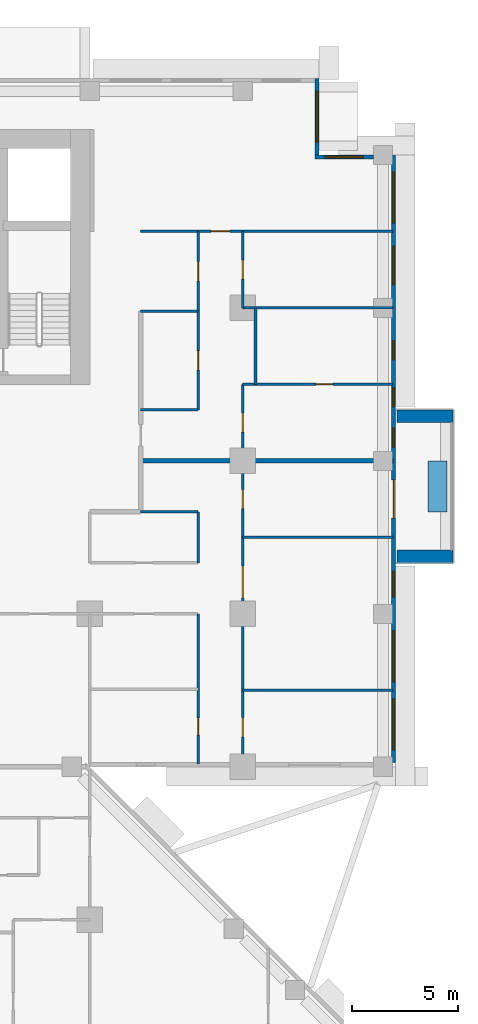
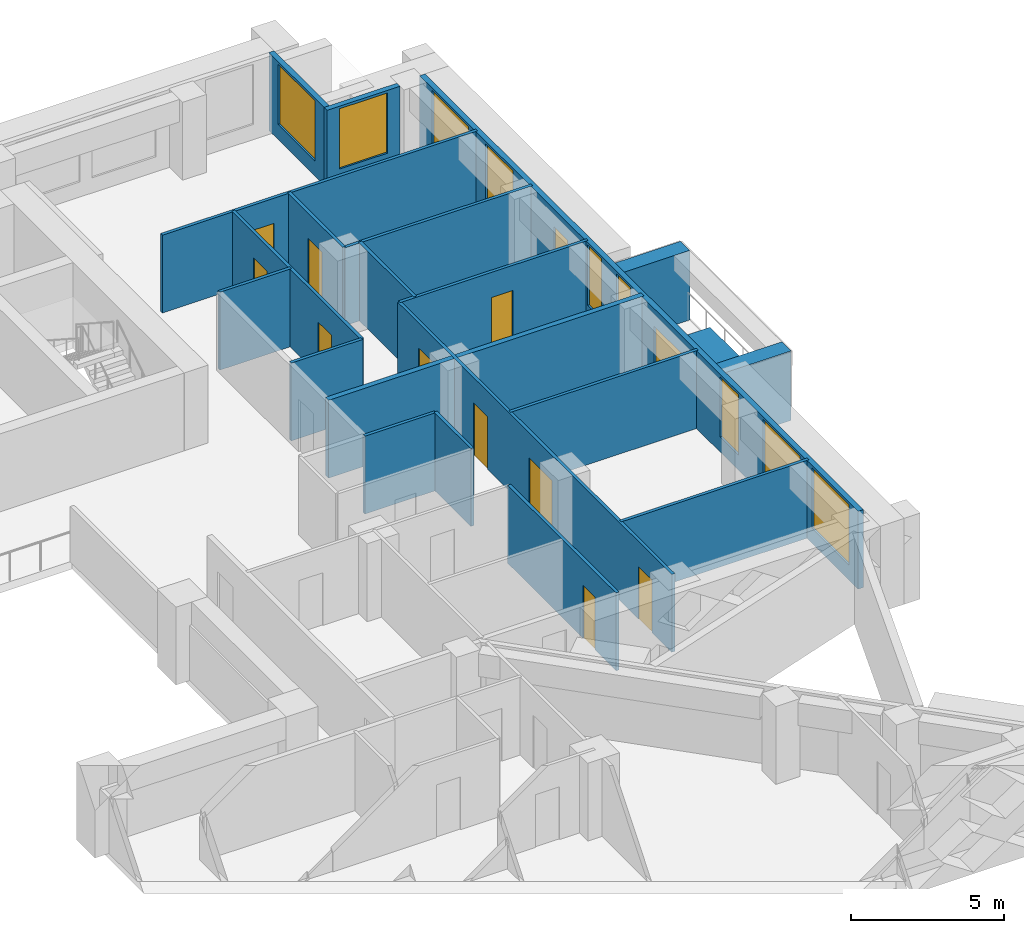
# One storey, part 12 of 17: 21 walls, 11 doors, 10 windows, 21 openings.
"""IFC4 building model written with IfcOpenShell, lengths in metres."""

import ifcopenshell
import ifcopenshell.guid

model = None  # the IFC model being written
_history = None  # IfcOwnerHistory: only IFC2X3 demands one
_inside = {}  # id of a spatial element -> (the spatial element, [elements in it])
_under = {}  # id of a project, library or spatial element -> (it, [spatial elements below it])
_declared = {}  # id of a project -> (the project, [libraries it declares])
_typed = {}  # id of a type object -> (the type object, [elements of that type])
_made_of = {}  # id of a material, layer set ... -> (it, [elements and type objects made of it])


def new_model(schema):
    """Start an empty IFC model of exactly this schema.

    Asked for "IFC4X3", IfcOpenShell would pick the latest addendum, in which some entities
    have other attributes; the version numbers below select the first issue.
    IFC2X3 requires an IfcOwnerHistory on every rooted entity: one is made here for all.
    """
    global model, _history
    if schema == "IFC4X3":
        model = ifcopenshell.file(schema_version=(4, 3, 0, 0))
    else:
        model = ifcopenshell.file(schema=schema)
    _inside.clear()
    _under.clear()
    _declared.clear()
    _typed.clear()
    _made_of.clear()
    _history = None
    if model.schema == "IFC2X3":
        org = make("IfcOrganization", Name="unknown")
        user = make(
            "IfcPersonAndOrganization",
            ThePerson=make("IfcPerson", FamilyName="unknown"),
            TheOrganization=org,
        )
        app = make(
            "IfcApplication",
            ApplicationDeveloper=org,
            Version="unknown",
            ApplicationFullName="unknown",
            ApplicationIdentifier="unknown",
        )
        _history = make(
            "IfcOwnerHistory",
            OwningUser=user,
            OwningApplication=app,
            ChangeAction="ADDED",
            CreationDate=0,
        )
    return model


def make(cls, **values):
    """One entity of the class cls with the attributes given. An attribute that is None is left unset."""
    return model.create_entity(
        cls, **{name: value for name, value in values.items() if value is not None}
    )


def rooted(cls, **values):
    """An entity with a GlobalId (a new one), such as an element, a storey or a relation."""
    return make(cls, GlobalId=ifcopenshell.guid.new(), OwnerHistory=_history, **values)


def si_unit(unit_type, name, prefix=None):
    """IfcSIUnit, for example si_unit("LENGTHUNIT", "METRE", prefix="MILLI")."""
    return make("IfcSIUnit", UnitType=unit_type, Prefix=prefix, Name=name)


def assignment(units):
    """IfcUnitAssignment: the units of a project."""
    return None if units is None else make("IfcUnitAssignment", Units=units)


def point(xyz):
    """IfcCartesianPoint."""
    return None if xyz is None else make("IfcCartesianPoint", Coordinates=xyz)


def direction(xyz):
    """IfcDirection."""
    return None if xyz is None else make("IfcDirection", DirectionRatios=xyz)


def frame(location, z_axis=None, x_axis=None):
    """IfcAxis2Placement3D, a coordinate frame: its origin and axes. An axis left out is left unset."""
    return make(
        "IfcAxis2Placement3D",
        Location=point(location),
        Axis=direction(z_axis),
        RefDirection=direction(x_axis),
    )


def frame_2d(location, x_axis=None):
    """IfcAxis2Placement2D, a coordinate frame in the plane: its origin and x axis."""
    return make(
        "IfcAxis2Placement2D", Location=point(location), RefDirection=direction(x_axis)
    )


def origin():
    """The frame at (0, 0, 0) with its axes left unset."""
    return frame((0.0, 0.0, 0.0))


def place(relative_to, where):
    """IfcLocalPlacement: puts the frame where relative to a parent placement (None: the world)."""
    return make(
        "IfcLocalPlacement", PlacementRelTo=relative_to, RelativePlacement=where
    )


def context(
    kind, dimensions, precision=None, world=None, true_north=None, identifier=None
):
    """IfcGeometricRepresentationContext, for example the 3D "Model" context."""
    return make(
        "IfcGeometricRepresentationContext",
        ContextIdentifier=identifier,
        ContextType=kind,
        CoordinateSpaceDimension=dimensions,
        Precision=precision,
        WorldCoordinateSystem=world,
        TrueNorth=true_north,
    )


def subcontext(parent, identifier, kind, view, scale=None):
    """IfcGeometricRepresentationSubContext, for example "Body" below "Model"."""
    return make(
        "IfcGeometricRepresentationSubContext",
        ContextIdentifier=identifier,
        ContextType=kind,
        ParentContext=parent,
        TargetScale=scale,
        TargetView=view,
    )


def project(units=None, contexts=None):
    """IfcProject with its units and contexts."""
    return rooted(
        "IfcProject",
        Name="project",
        RepresentationContexts=contexts,
        UnitsInContext=assignment(units),
    )


def spatial(cls, under=None, at=None, **own):
    """A site, building, storey or space (cls), placed at a placement, below another one or the project."""
    s = rooted(cls, ObjectPlacement=at, **own)
    if under is not None:
        _under.setdefault(under.id(), (under, []))[1].append(s)
    return s


def profile(cls, at=None, kind="AREA", **sizes):
    """A parametric profile (cls). Its sizes go by their IFC names, for example OverallWidth=200.0."""
    return make(cls, ProfileType=kind, Position=at, **sizes)


def rectangle(**sizes):
    """IfcRectangleProfileDef."""
    return profile("IfcRectangleProfileDef", **sizes)


def extrude(swept, where, along, depth):
    """IfcExtrudedAreaSolid: the profile swept, set in the frame where, extruded along a direction by depth."""
    return make(
        "IfcExtrudedAreaSolid",
        SweptArea=swept,
        Position=where,
        ExtrudedDirection=direction(along),
        Depth=depth,
    )


def shape(context_of_items, identifier, shape_type, items):
    """IfcShapeRepresentation: the items that make up one representation, for example the "Body"."""
    return make(
        "IfcShapeRepresentation",
        ContextOfItems=context_of_items,
        RepresentationIdentifier=identifier,
        RepresentationType=shape_type,
        Items=items,
    )


def material(Name=None, Category=None):
    """IfcMaterial."""
    return make("IfcMaterial", Name=Name, Category=Category)


def layer(
    of_material, thickness, ventilated=None, Name=None, Category=None, Priority=None
):
    """IfcMaterialLayer: one layer of a wall or slab, of a material (None: an air gap)."""
    return make(
        "IfcMaterialLayer",
        Material=of_material,
        LayerThickness=thickness,
        IsVentilated=ventilated,
        Name=Name,
        Category=Category,
        Priority=Priority,
    )


def layer_set(layers, Name=None):
    """IfcMaterialLayerSet."""
    return make("IfcMaterialLayerSet", MaterialLayers=layers, LayerSetName=Name)


def made_of(thing, what):
    """Note that an element or type object is made of a material, layer set ...; save() writes the relation."""
    if what is not None:
        _made_of.setdefault(what.id(), (what, []))[1].append(thing)
    return thing


def type_object(cls, material=None, **own):
    """A type object (cls), such as IfcWallType, which elements share."""
    return made_of(rooted(cls, **own), material)


def element(
    cls,
    number,
    at=None,
    inside=None,
    cuts=None,
    type_object=None,
    material=None,
    context=None,
    identifier="Body",
    shape_type=None,
    held_by="IfcProductDefinitionShape",
    body=None,
    shapes=None,
    **own,
):
    """One element of the class cls, such as IfcWall. Its Tag is "e" and its number.

    at: its placement. inside: the storey or other place that contains it. cuts: it is an
    opening in that element (IfcRelVoidsElement). A single representation is given by context,
    identifier, shape_type and body (its items); several are given by shapes. held_by: the class
    of the entity that holds the representations. save() writes the other relations.
    """
    e = rooted(cls, Tag="e%d" % number, ObjectPlacement=at, **own)
    if body is not None:
        shapes = [shape(context, identifier, shape_type, body)]
    if shapes is not None:
        e.Representation = make(held_by, Representations=shapes)
    if inside is not None:
        _inside.setdefault(inside.id(), (inside, []))[1].append(e)
    if cuts is not None:
        rooted(
            "IfcRelVoidsElement", RelatingBuildingElement=cuts, RelatedOpeningElement=e
        )
    if type_object is not None:
        _typed.setdefault(type_object.id(), (type_object, []))[1].append(e)
    return made_of(e, material)


def fill(opening, filler):
    """IfcRelFillsElement: the door or window that sits in an opening."""
    return rooted(
        "IfcRelFillsElement",
        RelatingOpeningElement=opening,
        RelatedBuildingElement=filler,
    )


def aggregate(whole, parts):
    """IfcRelAggregates: a whole, such as a stair, and the parts it consists of."""
    return rooted("IfcRelAggregates", RelatingObject=whole, RelatedObjects=parts)


def save(model, path):
    """Write the relations noted so far, then the file.

    IfcRelAggregates (storeys below a building ...), IfcRelContainedInSpatialStructure (elements
    in a storey), IfcRelDefinesByType, IfcRelAssociatesMaterial and IfcRelDeclares: one each for
    every whole, place, type object, material and project.
    """
    for whole, parts in _under.values():
        aggregate(whole, parts)
    for where, things in _inside.values():
        rooted(
            "IfcRelContainedInSpatialStructure",
            RelatedElements=things,
            RelatingStructure=where,
        )
    for kind, things in _typed.values():
        rooted("IfcRelDefinesByType", RelatedObjects=things, RelatingType=kind)
    for what, things in _made_of.values():
        rooted("IfcRelAssociatesMaterial", RelatedObjects=things, RelatingMaterial=what)
    for by, libraries in _declared.values():
        rooted("IfcRelDeclares", RelatingContext=by, RelatedDefinitions=libraries)
    model.write(path)


model = new_model("IFC4")

# Units and contexts
model_context = context("Model", 3, precision=1e-05, world=origin(), true_north=direction((0.0, 1.0)))
body_context = subcontext(model_context, "Body", "Model", "MODEL_VIEW")
ifc_project = project(units=[si_unit("LENGTHUNIT", "METRE"), si_unit("AREAUNIT", "SQUARE_METRE"), si_unit("VOLUMEUNIT", "CUBIC_METRE"), si_unit("PLANEANGLEUNIT", "RADIAN"), si_unit("MASSUNIT", "GRAM", prefix="KILO")], contexts=[model_context])

# Site, building, storey
site_placement = place(None, origin())
site = spatial("IfcSite", under=ifc_project, at=site_placement, CompositionType="ELEMENT")
building_placement = place(site_placement, origin())
building = spatial("IfcBuilding", under=site, at=building_placement, Name="Saffron Iwan Residences", CompositionType="ELEMENT")
storey_placement = place(building_placement, frame((0.0, 0.0, 104.0)))
storey = spatial("IfcBuildingStorey", under=building, at=storey_placement, Name="L27", CompositionType="ELEMENT", Elevation=104.0)

# Walls
ifc_material_1 = material(Name="Concrete C50/60 white painted", Category="concrete")
ifc_layer_1 = layer(ifc_material_1, 0.60009765625)
ifc_layer_set_1 = layer_set([ifc_layer_1], Name="Concrete C50/60 white painted")
wall_type_1 = type_object("IfcWallType", Name="BALCONY FIN 600", PredefinedType="SOLIDWALL", material=ifc_layer_set_1)
for number, where, z_axis, x_axis, name in (
    (1, (86.449951171875, 57.89990234375, 0.0), (0.0, 0.0, 1.0), (1.0, 0.0, 0.0), "Balcony fin L27 F2-0a"),
    (2, (86.449951171875, 64.5, 0.0), (0.0, 0.0, 1.0), (1.0, 0.0, 0.0), "Balcony fin L27 F2-0b"),
):
    element("IfcWall", number, at=place(storey_placement, frame(where, z_axis=z_axis, x_axis=x_axis)), inside=storey, type_object=wall_type_1, Name=name, PredefinedType="SOLIDWALL", context=body_context, shape_type="SweptSolid", body=[
        extrude(rectangle(XDim=2.650146484375, YDim=0.60009765625, at=frame_2d((1.3251953125, 0.0))), origin(), (0.0, 0.0, 1.0), 2.77001953125),
    ])
ifc_material_2 = material(Name="Concrete C35/45 white painted", Category="concrete")
ifc_layer_2 = layer(ifc_material_2, 0.14990234375)
ifc_layer_set_2 = layer_set([ifc_layer_2], Name="Concrete C35/45 white painted")
wall_type_2 = type_object("IfcWallType", Name="BALCONY PLANTER", PredefinedType="SOLIDWALL", material=ifc_layer_set_2)
wall_1_placement = place(storey_placement, frame((88.375, 60.0, 0.0), z_axis=(0.0, 0.0, 1.0), x_axis=(0.0, 1.0, 0.0)))
element("IfcWall", 3, at=wall_1_placement, inside=storey, type_object=wall_type_2, Name="PLANTER L27 F2-0", PredefinedType="SOLIDWALL", context=body_context, shape_type="SweptSolid", body=[
    extrude(rectangle(XDim=2.39990234375, YDim=0.89990234375, at=frame_2d((1.199951171875, 0.0))), origin(), (0.0, 0.0, 1.0), 0.89990234375),
])

# Wall, openings, door, windows
ifc_material_3 = material(Name="Concrete C40/50", Category="concrete")
ifc_layer_3 = layer(ifc_material_3, 0.199951171875)
ifc_layer_set_3 = layer_set([ifc_layer_3], Name="Concrete C40/50")
wall_type_3 = type_object("IfcWallType", Name="EXTERNAL WALL 200", PredefinedType="SOLIDWALL", material=ifc_layer_set_3)
wall_2_placement = place(storey_placement, frame((86.300048828125, 48.199951171875, 0.0), z_axis=(0.0, 0.0, 1.0), x_axis=(0.0, 1.0, 0.0)))
wall_2 = element("IfcWall", 4, at=wall_2_placement, inside=storey, type_object=wall_type_3, Name="External wall L27 F2.0", PredefinedType="SOLIDWALL", context=body_context, shape_type="SweptSolid", body=[
    extrude(rectangle(XDim=28.60009765625, YDim=0.199951171875, at=frame_2d((14.300048828125, 0.0))), origin(), (0.0, 0.0, 1.0), 3.10009765625),
])
opening_1_placement = place(wall_2_placement, frame((11.5, 0.0, 0.0)))
opening_1 = element("IfcOpeningElement", 5, at=opening_1_placement, cuts=wall_2, Name="Opening BD1", PredefinedType="OPENING", context=body_context, shape_type="SweptSolid", body=[
    extrude(rectangle(XDim=1.800048828125, YDim=2.39990234375, at=frame_2d((0.89990234375, 1.199951171875))), frame((0.0, 0.10986328125, 0.0), z_axis=(0.0, -1.0, 0.0), x_axis=(1.0, 0.0, 0.0)), (0.0, 0.0, 1.0), 0.219970703125),
])
opening_2_placement = place(wall_2_placement, frame((0.60009765625, 0.0, 0.60009765625)))
opening_2 = element("IfcOpeningElement", 6, at=opening_2_placement, cuts=wall_2, Name="Opening W1", PredefinedType="OPENING", context=body_context, shape_type="SweptSolid", body=[
    extrude(rectangle(XDim=2.39990234375, YDim=2.39990234375, at=frame_2d((1.199951171875, 1.199951171875))), frame((0.0, 0.10986328125, 0.0), z_axis=(0.0, -1.0, 0.0), x_axis=(1.0, 0.0, 0.0)), (0.0, 0.0, 1.0), 0.219970703125),
])
opening_3_placement = place(wall_2_placement, frame((3.800048828125, 0.0, 0.60009765625)))
opening_3 = element("IfcOpeningElement", 7, at=opening_3_placement, cuts=wall_2, Name="Opening W1", PredefinedType="OPENING", context=body_context, shape_type="SweptSolid", body=[
    extrude(rectangle(XDim=2.39990234375, YDim=2.39990234375, at=frame_2d((1.199951171875, 1.199951171875))), frame((0.0, 0.10986328125, 0.0), z_axis=(0.0, -1.0, 0.0), x_axis=(1.0, 0.0, 0.0)), (0.0, 0.0, 1.0), 0.219970703125),
])
opening_4_placement = place(wall_2_placement, frame((7.800048828125, 0.0, 0.60009765625)))
opening_4 = element("IfcOpeningElement", 8, at=opening_4_placement, cuts=wall_2, Name="Opening W3", PredefinedType="OPENING", context=body_context, shape_type="SweptSolid", body=[
    extrude(rectangle(XDim=1.199951171875, YDim=2.39990234375, at=frame_2d((0.60009765625, 1.199951171875))), frame((0.0, 0.10986328125, 0.0), z_axis=(0.0, -1.0, 0.0), x_axis=(1.0, 0.0, 0.0)), (0.0, 0.0, 1.0), 0.219970703125),
])
opening_5_placement = place(wall_2_placement, frame((14.85009765625, 0.0, 0.60009765625)))
opening_5 = element("IfcOpeningElement", 9, at=opening_5_placement, cuts=wall_2, Name="Opening W10", PredefinedType="OPENING", context=body_context, shape_type="SweptSolid", body=[
    extrude(rectangle(XDim=0.89990234375, YDim=2.39990234375, at=frame_2d((0.449951171875, 1.199951171875))), frame((0.0, 0.10986328125, 0.0), z_axis=(0.0, -1.0, 0.0), x_axis=(1.0, 0.0, 0.0)), (0.0, 0.0, 1.0), 0.219970703125),
])
opening_6_placement = place(wall_2_placement, frame((16.75, 0.0, 0.60009765625)))
opening_6 = element("IfcOpeningElement", 10, at=opening_6_placement, cuts=wall_2, Name="Opening W10", PredefinedType="OPENING", context=body_context, shape_type="SweptSolid", body=[
    extrude(rectangle(XDim=0.89990234375, YDim=2.39990234375, at=frame_2d((0.449951171875, 1.199951171875))), frame((0.0, 0.10986328125, 0.0), z_axis=(0.0, -1.0, 0.0), x_axis=(1.0, 0.0, 0.0)), (0.0, 0.0, 1.0), 0.219970703125),
])
opening_7_placement = place(wall_2_placement, frame((18.949951171875, 0.0, 1.5)))
opening_7 = element("IfcOpeningElement", 11, at=opening_7_placement, cuts=wall_2, Name="Opening W6", PredefinedType="OPENING", context=body_context, shape_type="SweptSolid", body=[
    extrude(rectangle(XDim=0.89990234375, YDim=0.89990234375, at=frame_2d((0.449951171875, 0.449951171875))), frame((0.0, 0.10986328125, 0.0), z_axis=(0.0, -1.0, 0.0), x_axis=(1.0, 0.0, 0.0)), (0.0, 0.0, 1.0), 0.219970703125),
])
opening_8_placement = place(wall_2_placement, frame((22.5, 0.0, 0.60009765625)))
opening_8 = element("IfcOpeningElement", 12, at=opening_8_placement, cuts=wall_2, Name="Opening W8", PredefinedType="OPENING", context=body_context, shape_type="SweptSolid", body=[
    extrude(rectangle(XDim=1.800048828125, YDim=2.39990234375, at=frame_2d((0.89990234375, 1.199951171875))), frame((0.0, 0.10986328125, 0.0), z_axis=(0.0, -1.0, 0.0), x_axis=(1.0, 0.0, 0.0)), (0.0, 0.0, 1.0), 0.219970703125),
])
opening_9_placement = place(wall_2_placement, frame((25.39990234375, 0.0, 0.60009765625)))
opening_9 = element("IfcOpeningElement", 13, at=opening_9_placement, cuts=wall_2, Name="Opening W1", PredefinedType="OPENING", context=body_context, shape_type="SweptSolid", body=[
    extrude(rectangle(XDim=2.39990234375, YDim=2.39990234375, at=frame_2d((1.199951171875, 1.199951171875))), frame((0.0, 0.10986328125, 0.0), z_axis=(0.0, -1.0, 0.0), x_axis=(1.0, 0.0, 0.0)), (0.0, 0.0, 1.0), 0.219970703125),
])
ifc_material_4 = material(Name="Clear glass, laminated double glazed", Category="glass")
door_type_1 = type_object("IfcDoorType", Name="BALCONY DOOR 1800 x 2400", OperationType="DOUBLE_DOOR_SLIDING", PredefinedType="DOOR", material=ifc_material_4)
door_1_placement = place(opening_1_placement, origin())
door_1 = element("IfcDoor", 14, at=door_1_placement, inside=storey, type_object=door_type_1, Name="Balcony door L27 F2.0", OperationType="DOUBLE_DOOR_SLIDING", OverallHeight=2.39990234375, OverallWidth=1.800048828125, PredefinedType="DOOR", context=body_context, shape_type="SweptSolid", body=[
    extrude(rectangle(XDim=1.800048828125, YDim=2.39990234375, at=frame_2d((0.89990234375, 1.199951171875))), frame((0.0, 0.02490234375, 0.0), z_axis=(0.0, -1.0, 0.0), x_axis=(1.0, 0.0, 0.0)), (0.0, 0.0, 1.0), 0.050048828125),
])
fill(opening_1, door_1)
window_type_1 = type_object("IfcWindowType", Name="WINDOW 1200 x 2400", PartitioningType="SINGLE_PANEL", PredefinedType="WINDOW", material=ifc_material_4)
window_1_placement = place(opening_4_placement, origin())
window_1 = element("IfcWindow", 15, at=window_1_placement, inside=storey, type_object=window_type_1, Name="Window L27 F2.3", OverallHeight=2.39990234375, OverallWidth=1.199951171875, PartitioningType="SINGLE_PANEL", PredefinedType="WINDOW", context=body_context, shape_type="SweptSolid", body=[
    extrude(rectangle(XDim=1.199951171875, YDim=2.39990234375, at=frame_2d((0.60009765625, 1.199951171875))), frame((0.0, 0.030029296875, 0.0), z_axis=(0.0, -1.0, 0.0), x_axis=(1.0, 0.0, 0.0)), (0.0, 0.0, 1.0), 0.06005859375),
])
fill(opening_4, window_1)
window_type_2 = type_object("IfcWindowType", Name="WINDOW 1800 x 2400", PartitioningType="DOUBLE_PANEL_VERTICAL", PredefinedType="WINDOW", material=ifc_material_4)
window_2_placement = place(opening_8_placement, origin())
window_2 = element("IfcWindow", 16, at=window_2_placement, inside=storey, type_object=window_type_2, Name="Window L27 F2.7", OverallHeight=2.39990234375, OverallWidth=1.800048828125, PartitioningType="DOUBLE_PANEL_VERTICAL", PredefinedType="WINDOW", context=body_context, shape_type="SweptSolid", body=[
    extrude(rectangle(XDim=1.800048828125, YDim=2.39990234375, at=frame_2d((0.89990234375, 1.199951171875))), frame((0.0, 0.030029296875, 0.0), z_axis=(0.0, -1.0, 0.0), x_axis=(1.0, 0.0, 0.0)), (0.0, 0.0, 1.0), 0.06005859375),
])
fill(opening_8, window_2)
window_type_3 = type_object("IfcWindowType", Name="WINDOW 2400 x 2400", PartitioningType="DOUBLE_PANEL_VERTICAL", PredefinedType="WINDOW", material=ifc_material_4)
window_3_placement = place(opening_2_placement, origin())
window_3 = element("IfcWindow", 17, at=window_3_placement, inside=storey, type_object=window_type_3, Name="Window L27 F2.1", OverallHeight=2.39990234375, OverallWidth=2.39990234375, PartitioningType="DOUBLE_PANEL_VERTICAL", PredefinedType="WINDOW", context=body_context, shape_type="SweptSolid", body=[
    extrude(rectangle(XDim=2.39990234375, YDim=2.39990234375, at=frame_2d((1.199951171875, 1.199951171875))), frame((0.0, 0.030029296875, 0.0), z_axis=(0.0, -1.0, 0.0), x_axis=(1.0, 0.0, 0.0)), (0.0, 0.0, 1.0), 0.06005859375),
])
fill(opening_2, window_3)
window_4_placement = place(opening_3_placement, origin())
window_4 = element("IfcWindow", 18, at=window_4_placement, inside=storey, type_object=window_type_3, Name="Window L27 F2.2", OverallHeight=2.39990234375, OverallWidth=2.39990234375, PartitioningType="DOUBLE_PANEL_VERTICAL", PredefinedType="WINDOW", context=body_context, shape_type="SweptSolid", body=[
    extrude(rectangle(XDim=2.39990234375, YDim=2.39990234375, at=frame_2d((1.199951171875, 1.199951171875))), frame((0.0, 0.030029296875, 0.0), z_axis=(0.0, -1.0, 0.0), x_axis=(1.0, 0.0, 0.0)), (0.0, 0.0, 1.0), 0.06005859375),
])
fill(opening_3, window_4)
window_5_placement = place(opening_9_placement, origin())
window_5 = element("IfcWindow", 19, at=window_5_placement, inside=storey, type_object=window_type_3, Name="Window L27 F2.8", OverallHeight=2.39990234375, OverallWidth=2.39990234375, PartitioningType="DOUBLE_PANEL_VERTICAL", PredefinedType="WINDOW", context=body_context, shape_type="SweptSolid", body=[
    extrude(rectangle(XDim=2.39990234375, YDim=2.39990234375, at=frame_2d((1.199951171875, 1.199951171875))), frame((0.0, 0.030029296875, 0.0), z_axis=(0.0, -1.0, 0.0), x_axis=(1.0, 0.0, 0.0)), (0.0, 0.0, 1.0), 0.06005859375),
])
fill(opening_9, window_5)
window_type_4 = type_object("IfcWindowType", Name="WINDOW 900 x 2400", PartitioningType="SINGLE_PANEL", PredefinedType="WINDOW", material=ifc_material_4)
window_6_placement = place(opening_5_placement, origin())
window_6 = element("IfcWindow", 20, at=window_6_placement, inside=storey, type_object=window_type_4, Name="Window L27 F2.4", OverallHeight=2.39990234375, OverallWidth=0.89990234375, PartitioningType="SINGLE_PANEL", PredefinedType="WINDOW", context=body_context, shape_type="SweptSolid", body=[
    extrude(rectangle(XDim=0.89990234375, YDim=2.39990234375, at=frame_2d((0.449951171875, 1.199951171875))), frame((0.0, 0.030029296875, 0.0), z_axis=(0.0, -1.0, 0.0), x_axis=(1.0, 0.0, 0.0)), (0.0, 0.0, 1.0), 0.06005859375),
])
fill(opening_5, window_6)
window_7_placement = place(opening_6_placement, origin())
window_7 = element("IfcWindow", 21, at=window_7_placement, inside=storey, type_object=window_type_4, Name="Window L27 F2.5", OverallHeight=2.39990234375, OverallWidth=0.89990234375, PartitioningType="SINGLE_PANEL", PredefinedType="WINDOW", context=body_context, shape_type="SweptSolid", body=[
    extrude(rectangle(XDim=0.89990234375, YDim=2.39990234375, at=frame_2d((0.449951171875, 1.199951171875))), frame((0.0, 0.030029296875, 0.0), z_axis=(0.0, -1.0, 0.0), x_axis=(1.0, 0.0, 0.0)), (0.0, 0.0, 1.0), 0.06005859375),
])
fill(opening_6, window_7)
window_type_5 = type_object("IfcWindowType", Name="WINDOW 900 x 900 BATH", PartitioningType="SINGLE_PANEL", PredefinedType="WINDOW", material=ifc_material_4)
window_8_placement = place(opening_7_placement, origin())
window_8 = element("IfcWindow", 22, at=window_8_placement, inside=storey, type_object=window_type_5, Name="Window L27 F2.6", OverallHeight=0.89990234375, OverallWidth=0.89990234375, PartitioningType="SINGLE_PANEL", PredefinedType="WINDOW", context=body_context, shape_type="SweptSolid", body=[
    extrude(rectangle(XDim=0.89990234375, YDim=0.89990234375, at=frame_2d((0.449951171875, 0.449951171875))), frame((0.0, 0.030029296875, 0.0), z_axis=(0.0, -1.0, 0.0), x_axis=(1.0, 0.0, 0.0)), (0.0, 0.0, 1.0), 0.06005859375),
])
fill(opening_7, window_8)

# Wall, opening, window
wall_3_placement = place(storey_placement, frame((85.35009765625, 76.699951171875, 0.0), z_axis=(0.0, 0.0, 1.0), x_axis=(-1.0, 0.0, 0.0)))
wall_3 = element("IfcWall", 23, at=wall_3_placement, inside=storey, type_object=wall_type_3, Name="External wall L27 F3.0", PredefinedType="SOLIDWALL", context=body_context, shape_type="SweptSolid", body=[
    extrude(rectangle(XDim=2.75, YDim=0.199951171875, at=frame_2d((1.375, 0.0))), origin(), (0.0, 0.0, 1.0), 3.10009765625),
])
opening_10_placement = place(wall_3_placement, frame((0.47509765625, 0.0, 0.60009765625)))
opening_10 = element("IfcOpeningElement", 24, at=opening_10_placement, cuts=wall_3, Name="Opening W8", PredefinedType="OPENING", context=body_context, shape_type="SweptSolid", body=[
    extrude(rectangle(XDim=1.800048828125, YDim=2.39990234375, at=frame_2d((0.89990234375, 1.199951171875))), frame((0.0, 0.10986328125, 0.0), z_axis=(0.0, -1.0, 0.0), x_axis=(1.0, 0.0, 0.0)), (0.0, 0.0, 1.0), 0.219970703125),
])
window_9_placement = place(opening_10_placement, origin())
window_9 = element("IfcWindow", 25, at=window_9_placement, inside=storey, type_object=window_type_2, Name="Window L27 F3.0", OverallHeight=2.39990234375, OverallWidth=1.800048828125, PartitioningType="DOUBLE_PANEL_VERTICAL", PredefinedType="WINDOW", context=body_context, shape_type="SweptSolid", body=[
    extrude(rectangle(XDim=1.800048828125, YDim=2.39990234375, at=frame_2d((0.89990234375, 1.199951171875))), frame((0.0, 0.030029296875, 0.0), z_axis=(0.0, -1.0, 0.0), x_axis=(1.0, 0.0, 0.0)), (0.0, 0.0, 1.0), 0.06005859375),
])
fill(opening_10, window_9)

wall_4_placement = place(storey_placement, frame((82.699951171875, 76.800048828125, 0.0), z_axis=(0.0, 0.0, 1.0), x_axis=(0.0, 1.0, 0.0)))
wall_4 = element("IfcWall", 26, at=wall_4_placement, inside=storey, type_object=wall_type_3, Name="External wall L27 F4.0", PredefinedType="SOLIDWALL", context=body_context, shape_type="SweptSolid", body=[
    extrude(rectangle(XDim=3.599853515625, YDim=0.199951171875, at=frame_2d((1.7998046875, 0.0))), origin(), (0.0, 0.0, 1.0), 3.10009765625),
])
opening_11_placement = place(wall_4_placement, frame((0.60009765625, 0.0, 0.60009765625)))
opening_11 = element("IfcOpeningElement", 27, at=opening_11_placement, cuts=wall_4, Name="Opening W1", PredefinedType="OPENING", context=body_context, shape_type="SweptSolid", body=[
    extrude(rectangle(XDim=2.39990234375, YDim=2.39990234375, at=frame_2d((1.199951171875, 1.199951171875))), frame((0.0, 0.10986328125, 0.0), z_axis=(0.0, -1.0, 0.0), x_axis=(1.0, 0.0, 0.0)), (0.0, 0.0, 1.0), 0.219970703125),
])
window_10_placement = place(opening_11_placement, origin())
window_10 = element("IfcWindow", 28, at=window_10_placement, inside=storey, type_object=window_type_3, Name="Window L27 F4.0", OverallHeight=2.39990234375, OverallWidth=2.39990234375, PartitioningType="DOUBLE_PANEL_VERTICAL", PredefinedType="WINDOW", context=body_context, shape_type="SweptSolid", body=[
    extrude(rectangle(XDim=2.39990234375, YDim=2.39990234375, at=frame_2d((1.199951171875, 1.199951171875))), frame((0.0, 0.030029296875, 0.0), z_axis=(0.0, -1.0, 0.0), x_axis=(1.0, 0.0, 0.0)), (0.0, 0.0, 1.0), 0.06005859375),
])
fill(opening_11, window_10)

# Walls
ifc_material_5 = material(Name="Fire-rated gypsum board wall")
ifc_layer_4 = layer(ifc_material_5, 0.199951171875)
ifc_layer_set_4 = layer_set([ifc_layer_4], Name="Fire-rated gypsum board wall")
wall_type_4 = type_object("IfcWallType", Name="Flat demising wall 200", PredefinedType="SOLIDWALL", material=ifc_layer_set_4)
wall_5_placement = place(storey_placement, frame((74.39990234375, 62.39990234375, 0.0), z_axis=(0.0, 0.0, 1.0), x_axis=(1.0, 0.0, 0.0)))
element("IfcWall", 29, at=wall_5_placement, inside=storey, type_object=wall_type_4, Name="W-L27-DEMISE-h62.4-74.4", PredefinedType="SOLIDWALL", context=body_context, shape_type="SweptSolid", body=[
    extrude(rectangle(XDim=11.875, YDim=0.199951171875, at=frame_2d((5.9375, 0.0))), origin(), (0.0, 0.0, 1.0), 3.10009765625),
])
ifc_material_6 = material(Name="Gypsum board partition")
ifc_layer_5 = layer(ifc_material_6, 0.1201171875)
ifc_layer_set_5 = layer_set([ifc_layer_5], Name="Gypsum board partition")
wall_type_5 = type_object("IfcWallType", Name="Flat partition 120", PredefinedType="PARTITIONING", material=ifc_layer_set_5)
for number, where, z_axis, x_axis, name in (
    (30, (79.199951171875, 51.60009765625, 0.0), (0.0, 0.0, 1.0), (1.0, 0.0, 0.0), "W-L27-PART-h51.6-79.2"),
    (31, (79.199951171875, 58.800048828125, 0.0), (0.0, 0.0, 1.0), (1.0, 0.0, 0.0), "W-L27-PART-h58.8-79.2"),
):
    element("IfcWall", number, at=place(storey_placement, frame(where, z_axis=z_axis, x_axis=x_axis)), inside=storey, type_object=wall_type_5, Name=name, PredefinedType="PARTITIONING", context=body_context, shape_type="SweptSolid", body=[
        extrude(rectangle(XDim=7.074951171875, YDim=0.1201171875, at=frame_2d((3.53759765625, 0.0))), origin(), (0.0, 0.0, 1.0), 3.10009765625),
    ])
for number, where, z_axis, x_axis, name in (
    (32, (74.39990234375, 60.0, 0.0), (0.0, 0.0, 1.0), (1.0, 0.0, 0.0), "W-L27-PART-h60-74.4"),
    (33, (74.39990234375, 64.800048828125, 0.0), (0.0, 0.0, 1.0), (1.0, 0.0, 0.0), "W-L27-PART-h64.8-74.4"),
):
    element("IfcWall", number, at=place(storey_placement, frame(where, z_axis=z_axis, x_axis=x_axis)), inside=storey, type_object=wall_type_5, Name=name, PredefinedType="PARTITIONING", context=body_context, shape_type="SweptSolid", body=[
        extrude(rectangle(XDim=2.7001953125, YDim=0.1201171875, at=frame_2d((1.35009765625, 0.0))), origin(), (0.0, 0.0, 1.0), 3.10009765625),
    ])

# Wall, opening, door
wall_6_placement = place(storey_placement, frame((79.199951171875, 66.0, 0.0), z_axis=(0.0, 0.0, 1.0), x_axis=(1.0, 0.0, 0.0)))
wall_6 = element("IfcWall", 34, at=wall_6_placement, inside=storey, type_object=wall_type_5, Name="W-L27-PART-h66-79.2", PredefinedType="PARTITIONING", context=body_context, shape_type="SweptSolid", body=[
    extrude(rectangle(XDim=7.074951171875, YDim=0.1201171875, at=frame_2d((3.53759765625, 0.0))), origin(), (0.0, 0.0, 1.0), 3.10009765625),
])
opening_12_placement = place(wall_6_placement, frame((3.4375, 0.0, 0.0)))
opening_12 = element("IfcOpeningElement", 35, at=opening_12_placement, cuts=wall_6, Name="Opening FD3", PredefinedType="OPENING", context=body_context, shape_type="SweptSolid", body=[
    extrude(rectangle(XDim=0.800048828125, YDim=2.10009765625, at=frame_2d((0.39990234375, 1.050048828125))), frame((0.0, 0.070068359375, 0.0), z_axis=(0.0, -1.0, 0.0), x_axis=(1.0, 0.0, 0.0)), (0.0, 0.0, 1.0), 0.14013671875),
])
ifc_material_7 = material(Name="Timber door", Category="wood")
door_type_2 = type_object("IfcDoorType", Name="Bathroom door 800", OperationType="NOTDEFINED", PredefinedType="DOOR", material=ifc_material_7)
door_2_placement = place(opening_12_placement, origin())
door_2 = element("IfcDoor", 36, at=door_2_placement, inside=storey, type_object=door_type_2, Name="Door L27-037", OperationType="SINGLE_SWING_RIGHT", OverallHeight=2.10009765625, OverallWidth=0.800048828125, PredefinedType="DOOR", context=body_context, shape_type="SweptSolid", body=[
    extrude(rectangle(XDim=0.800048828125, YDim=2.10009765625, at=frame_2d((0.39990234375, 1.050048828125))), frame((0.0, 0.02490234375, 0.0), z_axis=(0.0, -1.0, 0.0), x_axis=(1.0, 0.0, 0.0)), (0.0, 0.0, 1.0), 0.050048828125),
])
fill(opening_12, door_2)

# Walls
wall_7_placement = place(storey_placement, frame((74.39990234375, 69.449951171875, 0.0), z_axis=(0.0, 0.0, 1.0), x_axis=(1.0, 0.0, 0.0)))
element("IfcWall", 37, at=wall_7_placement, inside=storey, type_object=wall_type_5, Name="W-L27-PART-h69.45-74.4", PredefinedType="PARTITIONING", context=body_context, shape_type="SweptSolid", body=[
    extrude(rectangle(XDim=2.7001953125, YDim=0.1201171875, at=frame_2d((1.35009765625, 0.0))), origin(), (0.0, 0.0, 1.0), 3.10009765625),
])
wall_8_placement = place(storey_placement, frame((79.199951171875, 69.60009765625, 0.0), z_axis=(0.0, 0.0, 1.0), x_axis=(1.0, 0.0, 0.0)))
element("IfcWall", 38, at=wall_8_placement, inside=storey, type_object=wall_type_5, Name="W-L27-PART-h69.6-79.2", PredefinedType="PARTITIONING", context=body_context, shape_type="SweptSolid", body=[
    extrude(rectangle(XDim=7.074951171875, YDim=0.1201171875, at=frame_2d((3.53759765625, 0.0))), origin(), (0.0, 0.0, 1.0), 3.10009765625),
])

# Wall, opening, door
wall_9_placement = place(storey_placement, frame((74.39990234375, 73.199951171875, 0.0), z_axis=(0.0, 0.0, 1.0), x_axis=(1.0, 0.0, 0.0)))
wall_9 = element("IfcWall", 39, at=wall_9_placement, inside=storey, type_object=wall_type_5, Name="W-L27-PART-h73.2-74.4", PredefinedType="PARTITIONING", context=body_context, shape_type="SweptSolid", body=[
    extrude(rectangle(XDim=11.875, YDim=0.1201171875, at=frame_2d((5.9375, 0.0))), origin(), (0.0, 0.0, 1.0), 3.10009765625),
])
opening_13_placement = place(wall_9_placement, frame((3.300048828125, 0.0, 0.0)))
opening_13 = element("IfcOpeningElement", 40, at=opening_13_placement, cuts=wall_9, Name="Opening FD2", PredefinedType="OPENING", context=body_context, shape_type="SweptSolid", body=[
    extrude(rectangle(XDim=0.89990234375, YDim=2.10009765625, at=frame_2d((0.449951171875, 1.050048828125))), frame((0.0, 0.070068359375, 0.0), z_axis=(0.0, -1.0, 0.0), x_axis=(1.0, 0.0, 0.0)), (0.0, 0.0, 1.0), 0.14013671875),
])
door_type_3 = type_object("IfcDoorType", Name="Flat door 900", OperationType="NOTDEFINED", PredefinedType="DOOR", material=ifc_material_7)
door_3_placement = place(opening_13_placement, origin())
door_3 = element("IfcDoor", 41, at=door_3_placement, inside=storey, type_object=door_type_3, Name="Door L27-039", OperationType="SINGLE_SWING_LEFT", OverallHeight=2.10009765625, OverallWidth=0.89990234375, PredefinedType="DOOR", context=body_context, shape_type="SweptSolid", body=[
    extrude(rectangle(XDim=0.89990234375, YDim=2.10009765625, at=frame_2d((0.449951171875, 1.050048828125))), frame((0.0, 0.02490234375, 0.0), z_axis=(0.0, -1.0, 0.0), x_axis=(1.0, 0.0, 0.0)), (0.0, 0.0, 1.0), 0.050048828125),
])
fill(opening_13, door_3)

wall_10_placement = place(storey_placement, frame((77.10009765625, 48.125, 0.0), z_axis=(0.0, 0.0, 1.0), x_axis=(0.0, 1.0, 0.0)))
wall_10 = element("IfcWall", 42, at=wall_10_placement, inside=storey, type_object=wall_type_5, Name="W-L27-PART-v77.1-48.125", PredefinedType="PARTITIONING", context=body_context, shape_type="SweptSolid", body=[
    extrude(rectangle(XDim=7.074951171875, YDim=0.1201171875, at=frame_2d((3.53759765625, 0.0))), origin(), (0.0, 0.0, 1.0), 3.10009765625),
])
opening_14_placement = place(wall_10_placement, frame((1.362548828125, 0.0, 0.0)))
opening_14 = element("IfcOpeningElement", 43, at=opening_14_placement, cuts=wall_10, Name="Opening FD3", PredefinedType="OPENING", context=body_context, shape_type="SweptSolid", body=[
    extrude(rectangle(XDim=0.800048828125, YDim=2.10009765625, at=frame_2d((0.39990234375, 1.050048828125))), frame((0.0, 0.070068359375, 0.0), z_axis=(0.0, -1.0, 0.0), x_axis=(1.0, 0.0, 0.0)), (0.0, 0.0, 1.0), 0.14013671875),
])
door_4_placement = place(opening_14_placement, origin())
door_4 = element("IfcDoor", 44, at=door_4_placement, inside=storey, type_object=door_type_2, Name="Door L27-024", OperationType="SINGLE_SWING_LEFT", OverallHeight=2.10009765625, OverallWidth=0.800048828125, PredefinedType="DOOR", context=body_context, shape_type="SweptSolid", body=[
    extrude(rectangle(XDim=0.800048828125, YDim=2.10009765625, at=frame_2d((0.39990234375, 1.050048828125))), frame((0.0, 0.02490234375, 0.0), z_axis=(0.0, -1.0, 0.0), x_axis=(1.0, 0.0, 0.0)), (0.0, 0.0, 1.0), 0.050048828125),
])
fill(opening_14, door_4)

# Wall
wall_11_placement = place(storey_placement, frame((77.10009765625, 57.60009765625, 0.0), z_axis=(0.0, 0.0, 1.0), x_axis=(0.0, 1.0, 0.0)))
element("IfcWall", 45, at=wall_11_placement, inside=storey, type_object=wall_type_5, Name="W-L27-PART-v77.1-57.6", PredefinedType="PARTITIONING", context=body_context, shape_type="SweptSolid", body=[
    extrude(rectangle(XDim=2.39990234375, YDim=0.1201171875, at=frame_2d((1.199951171875, 0.0))), origin(), (0.0, 0.0, 1.0), 3.10009765625),
])

# Wall, openings, doors
wall_12_placement = place(storey_placement, frame((77.10009765625, 64.800048828125, 0.0), z_axis=(0.0, 0.0, 1.0), x_axis=(0.0, 1.0, 0.0)))
wall_12 = element("IfcWall", 46, at=wall_12_placement, inside=storey, type_object=wall_type_5, Name="W-L27-PART-v77.1-64.8", PredefinedType="PARTITIONING", context=body_context, shape_type="SweptSolid", body=[
    extrude(rectangle(XDim=8.39990234375, YDim=0.1201171875, at=frame_2d((4.199951171875, 0.0))), origin(), (0.0, 0.0, 1.0), 3.10009765625),
])
opening_15_placement = place(wall_12_placement, frame((1.875, 0.0, 0.0)))
opening_15 = element("IfcOpeningElement", 47, at=opening_15_placement, cuts=wall_12, Name="Opening FD2", PredefinedType="OPENING", context=body_context, shape_type="SweptSolid", body=[
    extrude(rectangle(XDim=0.89990234375, YDim=2.10009765625, at=frame_2d((0.449951171875, 1.050048828125))), frame((0.0, 0.070068359375, 0.0), z_axis=(0.0, -1.0, 0.0), x_axis=(1.0, 0.0, 0.0)), (0.0, 0.0, 1.0), 0.14013671875),
])
opening_16_placement = place(wall_12_placement, frame((6.074951171875, 0.0, 0.0)))
opening_16 = element("IfcOpeningElement", 48, at=opening_16_placement, cuts=wall_12, Name="Opening FD2", PredefinedType="OPENING", context=body_context, shape_type="SweptSolid", body=[
    extrude(rectangle(XDim=0.89990234375, YDim=2.10009765625, at=frame_2d((0.449951171875, 1.050048828125))), frame((0.0, 0.070068359375, 0.0), z_axis=(0.0, -1.0, 0.0), x_axis=(1.0, 0.0, 0.0)), (0.0, 0.0, 1.0), 0.14013671875),
])
door_5_placement = place(opening_15_placement, origin())
door_5 = element("IfcDoor", 49, at=door_5_placement, inside=storey, type_object=door_type_3, Name="Door L27-040", OperationType="SINGLE_SWING_RIGHT", OverallHeight=2.10009765625, OverallWidth=0.89990234375, PredefinedType="DOOR", context=body_context, shape_type="SweptSolid", body=[
    extrude(rectangle(XDim=0.89990234375, YDim=2.10009765625, at=frame_2d((0.449951171875, 1.050048828125))), frame((0.0, 0.02490234375, 0.0), z_axis=(0.0, -1.0, 0.0), x_axis=(1.0, 0.0, 0.0)), (0.0, 0.0, 1.0), 0.050048828125),
])
fill(opening_15, door_5)
door_6_placement = place(opening_16_placement, origin())
door_6 = element("IfcDoor", 50, at=door_6_placement, inside=storey, type_object=door_type_3, Name="Door L27-041", OperationType="SINGLE_SWING_LEFT", OverallHeight=2.10009765625, OverallWidth=0.89990234375, PredefinedType="DOOR", context=body_context, shape_type="SweptSolid", body=[
    extrude(rectangle(XDim=0.89990234375, YDim=2.10009765625, at=frame_2d((0.449951171875, 1.050048828125))), frame((0.0, 0.02490234375, 0.0), z_axis=(0.0, -1.0, 0.0), x_axis=(1.0, 0.0, 0.0)), (0.0, 0.0, 1.0), 0.050048828125),
])
fill(opening_16, door_6)

wall_13_placement = place(storey_placement, frame((79.199951171875, 48.125, 0.0), z_axis=(0.0, 0.0, 1.0), x_axis=(0.0, 1.0, 0.0)))
wall_13 = element("IfcWall", 51, at=wall_13_placement, inside=storey, type_object=wall_type_5, Name="W-L27-PART-v79.2-48.125", PredefinedType="PARTITIONING", context=body_context, shape_type="SweptSolid", body=[
    extrude(rectangle(XDim=17.875, YDim=0.1201171875, at=frame_2d((8.9375, 0.0))), origin(), (0.0, 0.0, 1.0), 3.10009765625),
])
opening_17_placement = place(wall_13_placement, frame((1.28759765625, 0.0, 0.0)))
opening_17 = element("IfcOpeningElement", 52, at=opening_17_placement, cuts=wall_13, Name="Opening FD2", PredefinedType="OPENING", context=body_context, shape_type="SweptSolid", body=[
    extrude(rectangle(XDim=0.89990234375, YDim=2.10009765625, at=frame_2d((0.449951171875, 1.050048828125))), frame((0.0, 0.070068359375, 0.0), z_axis=(0.0, -1.0, 0.0), x_axis=(1.0, 0.0, 0.0)), (0.0, 0.0, 1.0), 0.14013671875),
])
opening_18_placement = place(wall_13_placement, frame((7.824951171875, 0.0, 0.0)))
opening_18 = element("IfcOpeningElement", 53, at=opening_18_placement, cuts=wall_13, Name="Opening FD4", PredefinedType="OPENING", context=body_context, shape_type="SweptSolid", body=[
    extrude(rectangle(XDim=1.5, YDim=2.10009765625, at=frame_2d((0.75, 1.050048828125))), frame((0.0, 0.070068359375, 0.0), z_axis=(0.0, -1.0, 0.0), x_axis=(1.0, 0.0, 0.0)), (0.0, 0.0, 1.0), 0.14013671875),
])
opening_19_placement = place(wall_13_placement, frame((12.02490234375, 0.0, 0.0)))
opening_19 = element("IfcOpeningElement", 54, at=opening_19_placement, cuts=wall_13, Name="Opening FD2", PredefinedType="OPENING", context=body_context, shape_type="SweptSolid", body=[
    extrude(rectangle(XDim=0.89990234375, YDim=2.10009765625, at=frame_2d((0.449951171875, 1.050048828125))), frame((0.0, 0.070068359375, 0.0), z_axis=(0.0, -1.0, 0.0), x_axis=(1.0, 0.0, 0.0)), (0.0, 0.0, 1.0), 0.14013671875),
])
opening_20_placement = place(wall_13_placement, frame((15.625, 0.0, 0.0)))
opening_20 = element("IfcOpeningElement", 55, at=opening_20_placement, cuts=wall_13, Name="Opening FD2", PredefinedType="OPENING", context=body_context, shape_type="SweptSolid", body=[
    extrude(rectangle(XDim=0.89990234375, YDim=2.10009765625, at=frame_2d((0.449951171875, 1.050048828125))), frame((0.0, 0.070068359375, 0.0), z_axis=(0.0, -1.0, 0.0), x_axis=(1.0, 0.0, 0.0)), (0.0, 0.0, 1.0), 0.14013671875),
])
door_type_4 = type_object("IfcDoorType", Name="Double door 1500", OperationType="NOTDEFINED", PredefinedType="DOOR", material=ifc_material_7)
door_7_placement = place(opening_18_placement, origin())
door_7 = element("IfcDoor", 56, at=door_7_placement, inside=storey, type_object=door_type_4, Name="Door L27-022", OperationType="SINGLE_SWING_LEFT", OverallHeight=2.10009765625, OverallWidth=1.5, PredefinedType="DOOR", context=body_context, shape_type="SweptSolid", body=[
    extrude(rectangle(XDim=1.5, YDim=2.10009765625, at=frame_2d((0.75, 1.050048828125))), frame((0.0, 0.02490234375, 0.0), z_axis=(0.0, -1.0, 0.0), x_axis=(1.0, 0.0, 0.0)), (0.0, 0.0, 1.0), 0.050048828125),
])
fill(opening_18, door_7)
door_8_placement = place(opening_17_placement, origin())
door_8 = element("IfcDoor", 57, at=door_8_placement, inside=storey, type_object=door_type_3, Name="Door L27-021", OperationType="SINGLE_SWING_LEFT", OverallHeight=2.10009765625, OverallWidth=0.89990234375, PredefinedType="DOOR", context=body_context, shape_type="SweptSolid", body=[
    extrude(rectangle(XDim=0.89990234375, YDim=2.10009765625, at=frame_2d((0.449951171875, 1.050048828125))), frame((0.0, 0.02490234375, 0.0), z_axis=(0.0, -1.0, 0.0), x_axis=(1.0, 0.0, 0.0)), (0.0, 0.0, 1.0), 0.050048828125),
])
fill(opening_17, door_8)
door_9_placement = place(opening_19_placement, origin())
door_9 = element("IfcDoor", 58, at=door_9_placement, inside=storey, type_object=door_type_3, Name="Door L27-023", OperationType="SINGLE_SWING_LEFT", OverallHeight=2.10009765625, OverallWidth=0.89990234375, PredefinedType="DOOR", context=body_context, shape_type="SweptSolid", body=[
    extrude(rectangle(XDim=0.89990234375, YDim=2.10009765625, at=frame_2d((0.449951171875, 1.050048828125))), frame((0.0, 0.02490234375, 0.0), z_axis=(0.0, -1.0, 0.0), x_axis=(1.0, 0.0, 0.0)), (0.0, 0.0, 1.0), 0.050048828125),
])
fill(opening_19, door_9)
door_10_placement = place(opening_20_placement, origin())
door_10 = element("IfcDoor", 59, at=door_10_placement, inside=storey, type_object=door_type_3, Name="Door L27-036", OperationType="SINGLE_SWING_LEFT", OverallHeight=2.10009765625, OverallWidth=0.89990234375, PredefinedType="DOOR", context=body_context, shape_type="SweptSolid", body=[
    extrude(rectangle(XDim=0.89990234375, YDim=2.10009765625, at=frame_2d((0.449951171875, 1.050048828125))), frame((0.0, 0.02490234375, 0.0), z_axis=(0.0, -1.0, 0.0), x_axis=(1.0, 0.0, 0.0)), (0.0, 0.0, 1.0), 0.050048828125),
])
fill(opening_20, door_10)

# Wall, opening, door
wall_14_placement = place(storey_placement, frame((79.199951171875, 69.60009765625, 0.0), z_axis=(0.0, 0.0, 1.0), x_axis=(0.0, 1.0, 0.0)))
wall_14 = element("IfcWall", 60, at=wall_14_placement, inside=storey, type_object=wall_type_5, Name="W-L27-PART-v79.2-69.6", PredefinedType="PARTITIONING", context=body_context, shape_type="SweptSolid", body=[
    extrude(rectangle(XDim=3.599853515625, YDim=0.1201171875, at=frame_2d((1.7998046875, 0.0))), origin(), (0.0, 0.0, 1.0), 3.10009765625),
])
opening_21_placement = place(wall_14_placement, frame((1.35009765625, 0.0, 0.0)))
opening_21 = element("IfcOpeningElement", 61, at=opening_21_placement, cuts=wall_14, Name="Opening FD2", PredefinedType="OPENING", context=body_context, shape_type="SweptSolid", body=[
    extrude(rectangle(XDim=0.89990234375, YDim=2.10009765625, at=frame_2d((0.449951171875, 1.050048828125))), frame((0.0, 0.070068359375, 0.0), z_axis=(0.0, -1.0, 0.0), x_axis=(1.0, 0.0, 0.0)), (0.0, 0.0, 1.0), 0.14013671875),
])
door_11_placement = place(opening_21_placement, origin())
door_11 = element("IfcDoor", 62, at=door_11_placement, inside=storey, type_object=door_type_3, Name="Door L27-038", OperationType="SINGLE_SWING_LEFT", OverallHeight=2.10009765625, OverallWidth=0.89990234375, PredefinedType="DOOR", context=body_context, shape_type="SweptSolid", body=[
    extrude(rectangle(XDim=0.89990234375, YDim=2.10009765625, at=frame_2d((0.449951171875, 1.050048828125))), frame((0.0, 0.02490234375, 0.0), z_axis=(0.0, -1.0, 0.0), x_axis=(1.0, 0.0, 0.0)), (0.0, 0.0, 1.0), 0.050048828125),
])
fill(opening_21, door_11)

# Wall
wall_15_placement = place(storey_placement, frame((79.800048828125, 66.0, 0.0), z_axis=(0.0, 0.0, 1.0), x_axis=(0.0, 1.0, 0.0)))
element("IfcWall", 63, at=wall_15_placement, inside=storey, type_object=wall_type_5, Name="W-L27-PART-v79.8-66", PredefinedType="PARTITIONING", context=body_context, shape_type="SweptSolid", body=[
    extrude(rectangle(XDim=3.60009765625, YDim=0.1201171875, at=frame_2d((1.800048828125, 0.0))), origin(), (0.0, 0.0, 1.0), 3.10009765625),
])

save(model, "model.ifc")
